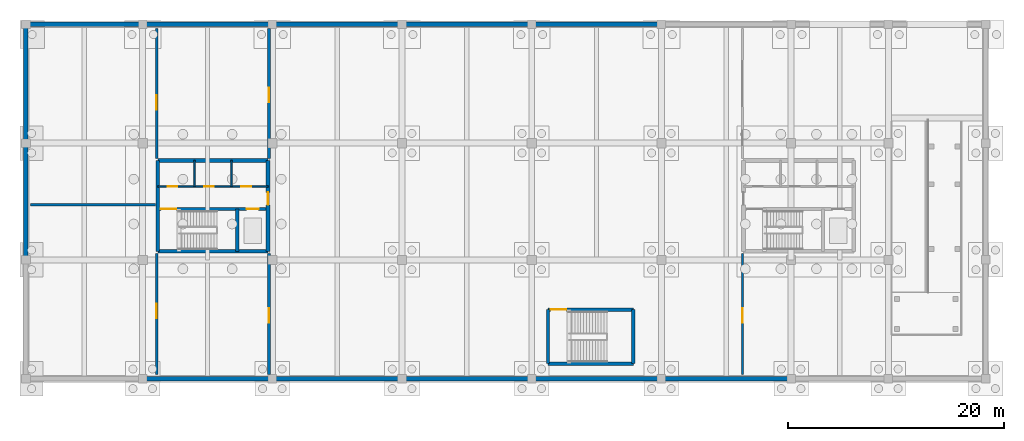
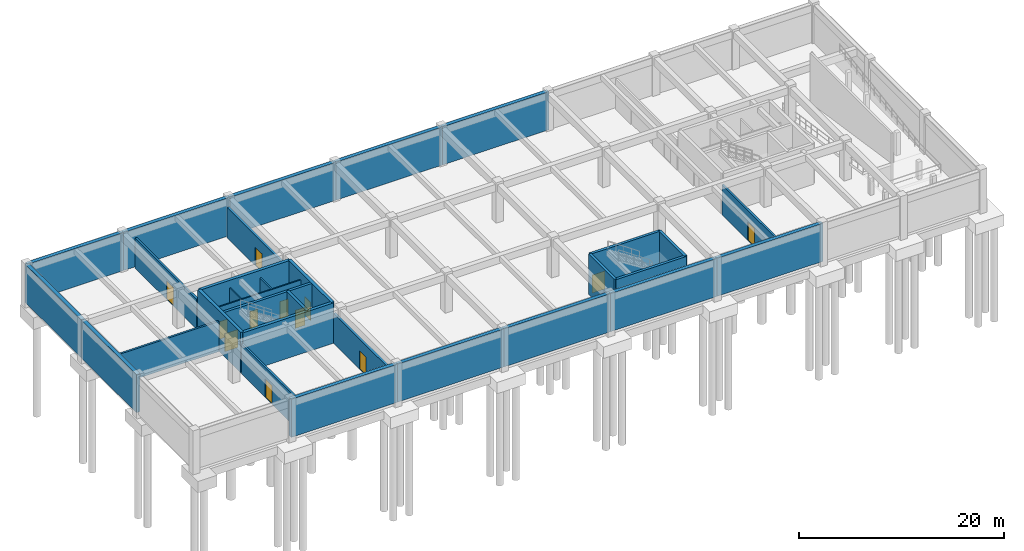
# One storey, part 4 of 8: 31 walls, 12 doors, 12 openings.
"""IFC4 building model written with IfcOpenShell, lengths in metres."""

from ifc_helpers import new_model, si_unit, derived_unit, direction, frame, frame_2d, origin, place, context, subcontext, project, spatial, rectangle, extrude, material, layer, layer_set, type_object, element, fill, save


model = new_model("IFC4")

# Units and contexts
model_context = context("Model", 3, precision=1e-05, world=origin(), true_north=direction((0.0, 1.0)))
body_context = subcontext(model_context, "Body", "Model", "MODEL_VIEW")
ifc_project = project(units=[si_unit("LENGTHUNIT", "METRE"), si_unit("AREAUNIT", "SQUARE_METRE"), si_unit("VOLUMEUNIT", "CUBIC_METRE"), si_unit("PLANEANGLEUNIT", "RADIAN"), si_unit("MASSUNIT", "GRAM", prefix="KILO"), derived_unit("THERMALTRANSMITTANCEUNIT", [(si_unit("POWERUNIT", "WATT"), 1), (si_unit("LENGTHUNIT", "METRE"), -2), (si_unit("THERMODYNAMICTEMPERATUREUNIT", "KELVIN"), -1)])], contexts=[model_context])

# Site, building, storey
site_placement = place(None, origin())
site = spatial("IfcSite", under=ifc_project, at=site_placement, CompositionType="ELEMENT")
building_placement = place(site_placement, origin())
building = spatial("IfcBuilding", under=site, at=building_placement, Name="Almenara Railside Exhibition Hall", CompositionType="ELEMENT")
storey_placement = place(building_placement, frame((0.0, 0.0, -4.800048828125)))
storey = spatial("IfcBuildingStorey", under=building, at=storey_placement, Name="B1", CompositionType="ELEMENT", Elevation=-4.800048828125)

# Walls
ifc_material_1 = material(Name="Concrete C35/45", Category="concrete")
ifc_layer_1 = layer(ifc_material_1, 0.419921875, Name="Concrete C35/45")
ifc_layer_set_1 = layer_set([ifc_layer_1], Name="Concrete C35/45")
wall_type_1 = type_object("IfcWallType", Name="Basement Tanked Retaining Wall 420mm C35/45", PredefinedType="STANDARD", material=ifc_layer_set_1)
wall_1_placement = place(storey_placement, frame((126.0, 32.800048828125, 0.0), z_axis=(0.0, 0.0, 1.0), x_axis=(-1.0, 0.0, 0.0)))
element("IfcWall", 1, at=wall_1_placement, inside=storey, type_object=wall_type_1, Name="Exterior wall 0002", PredefinedType="STANDARD", context=body_context, shape_type="SweptSolid", body=[
    extrude(rectangle(XDim=10.800048828125, YDim=0.419921875, at=frame_2d((5.39990234375, 0.0))), origin(), (0.0, 0.0, 1.0), 4.5400390625),
])
for number, where, z_axis, x_axis, name in (
    (2, (126.0, 0.0, 0.0), (0.0, 0.0, 1.0), (1.0, 0.0, 0.0), "Exterior wall 0003"),
    (3, (138.0, 32.800048828125, 0.0), (0.0, 0.0, 1.0), (-1.0, 0.0, 0.0), "Exterior wall 0004"),
    (4, (138.0, 0.0, 0.0), (0.0, 0.0, 1.0), (1.0, 0.0, 0.0), "Exterior wall 0005"),
    (5, (150.0, 32.800048828125, 0.0), (0.0, 0.0, 1.0), (-1.0, 0.0, 0.0), "Exterior wall 0006"),
    (6, (150.0, 0.0, 0.0), (0.0, 0.0, 1.0), (1.0, 0.0, 0.0), "Exterior wall 0007"),
    (7, (162.0, 32.800048828125, 0.0), (0.0, 0.0, 1.0), (-1.0, 0.0, 0.0), "Exterior wall 0008"),
    (8, (162.0, 0.0, 0.0), (0.0, 0.0, 1.0), (1.0, 0.0, 0.0), "Exterior wall 0009"),
    (9, (174.0, 32.800048828125, 0.0), (0.0, 0.0, 1.0), (-1.0, 0.0, 0.0), "Exterior wall 0010"),
    (10, (174.0, 0.0, 0.0), (0.0, 0.0, 1.0), (1.0, 0.0, 0.0), "Exterior wall 0011"),
):
    element("IfcWall", number, at=place(storey_placement, frame(where, z_axis=z_axis, x_axis=x_axis)), inside=storey, type_object=wall_type_1, Name=name, PredefinedType="STANDARD", context=body_context, shape_type="SweptSolid", body=[
        extrude(rectangle(XDim=12.0, YDim=0.419921875, at=frame_2d((6.0, 0.0))), origin(), (0.0, 0.0, 1.0), 4.5400390625),
    ])
wall_2_placement = place(storey_placement, frame((115.199951171875, 21.800048828125, 0.0), z_axis=(0.0, 0.0, 1.0), x_axis=(0.0, -1.0, 0.0)))
element("IfcWall", 11, at=wall_2_placement, inside=storey, type_object=wall_type_1, Name="Exterior wall 0020", PredefinedType="STANDARD", context=body_context, shape_type="SweptSolid", body=[
    extrude(rectangle(XDim=10.800048828125, YDim=0.419921875, at=frame_2d((5.39990234375, 0.0))), origin(), (0.0, 0.0, 1.0), 4.5400390625),
])
wall_3_placement = place(storey_placement, frame((115.199951171875, 32.800048828125, 0.0), z_axis=(0.0, 0.0, 1.0), x_axis=(0.0, -1.0, 0.0)))
element("IfcWall", 12, at=wall_3_placement, inside=storey, type_object=wall_type_1, Name="Exterior wall 0022", PredefinedType="STANDARD", context=body_context, shape_type="SweptSolid", body=[
    extrude(rectangle(XDim=11.0, YDim=0.419921875, at=frame_2d((5.5, 0.0))), origin(), (0.0, 0.0, 1.0), 4.5400390625),
])
ifc_layer_2 = layer(ifc_material_1, 0.35009765625, Name="Concrete C35/45")
ifc_layer_set_2 = layer_set([ifc_layer_2], Name="Concrete C35/45")
wall_type_2 = type_object("IfcWallType", Name="Core Coupled Shear Wall 350mm C35/45", PredefinedType="SHEAR", material=ifc_layer_set_2)
for number, where, z_axis, x_axis, name in (
    (13, (127.39990234375, 11.800048828125, 0.0), (0.0, 0.0, 1.0), (1.0, 0.0, 0.0), "Interior wall 0100"),
    (14, (137.60009765625, 20.199951171875, 0.0), (0.0, 0.0, 1.0), (-1.0, 0.0, 0.0), "Interior wall 0101"),
):
    element("IfcWall", number, at=place(storey_placement, frame(where, z_axis=z_axis, x_axis=x_axis)), inside=storey, type_object=wall_type_2, Name=name, PredefinedType="SHEAR", context=body_context, shape_type="SweptSolid", body=[
        extrude(rectangle(XDim=10.2001953125, YDim=0.35009765625, at=frame_2d((5.10009765625, 0.0))), origin(), (0.0, 0.0, 1.0), 4.800048828125),
    ])
wall_4_placement = place(storey_placement, frame((127.39990234375, 20.199951171875, 0.0), z_axis=(0.0, 0.0, 1.0), x_axis=(0.0, -1.0, 0.0)))
element("IfcWall", 15, at=wall_4_placement, inside=storey, type_object=wall_type_2, Name="Interior wall 0102", PredefinedType="SHEAR", context=body_context, shape_type="SweptSolid", body=[
    extrude(rectangle(XDim=8.39990234375, YDim=0.35009765625, at=frame_2d((4.199951171875, 0.0))), origin(), (0.0, 0.0, 1.0), 4.800048828125),
])

# Wall, opening, door
wall_5_placement = place(storey_placement, frame((137.60009765625, 11.800048828125, 0.0), z_axis=(0.0, 0.0, 1.0), x_axis=(0.0, 1.0, 0.0)))
wall_5 = element("IfcWall", 16, at=wall_5_placement, inside=storey, type_object=wall_type_2, Name="Interior wall 0103", PredefinedType="SHEAR", context=body_context, shape_type="SweptSolid", body=[
    extrude(rectangle(XDim=8.39990234375, YDim=0.35009765625, at=frame_2d((4.199951171875, 0.0))), origin(), (0.0, 0.0, 1.0), 4.800048828125),
])
opening_1_placement = place(wall_5_placement, frame((4.300048828125, 0.0, 0.0)))
opening_1 = element("IfcOpeningElement", 17, at=opening_1_placement, cuts=wall_5, Name="Opening FD-115", PredefinedType="OPENING", context=body_context, shape_type="SweptSolid", body=[
    extrude(rectangle(XDim=1.14990234375, YDim=2.14990234375, at=frame_2d((0.574951171875, 1.074951171875))), frame((0.0, 0.18505859375, 0.0), z_axis=(0.0, -1.0, 0.0), x_axis=(1.0, 0.0, 0.0)), (0.0, 0.0, 1.0), 0.3701171875),
])
ifc_material_2 = material(Name="Fire-rated iroko timber door", Category="wood")
door_type_1 = type_object("IfcDoorType", Name="Core Lobby Fire Door 1150x2150 EI60", OperationType="NOTDEFINED", PredefinedType="DOOR", material=ifc_material_2)
door_1_placement = place(opening_1_placement, origin())
door_1 = element("IfcDoor", 18, at=door_1_placement, inside=storey, type_object=door_type_1, Name="Interior door FD-115-067", OperationType="SINGLE_SWING_LEFT", OverallHeight=2.14990234375, OverallWidth=1.14990234375, PredefinedType="DOOR", context=body_context, shape_type="SweptSolid", body=[
    extrude(rectangle(XDim=1.14990234375, YDim=2.14990234375, at=frame_2d((0.574951171875, 1.074951171875))), frame((0.0, 0.02490234375, 0.0), z_axis=(0.0, -1.0, 0.0), x_axis=(1.0, 0.0, 0.0)), (0.0, 0.0, 1.0), 0.050048828125),
])
fill(opening_1, door_1)

ifc_layer_3 = layer(ifc_material_1, 0.260009765625, Name="Concrete C35/45")
ifc_layer_set_3 = layer_set([ifc_layer_3], Name="Concrete C35/45")
wall_type_3 = type_object("IfcWallType", Name="Hall Fire Division Wall 260mm C35/45", PredefinedType="SOLIDWALL", material=ifc_layer_set_3)
wall_6_placement = place(storey_placement, frame((137.699951171875, 0.39990234375, 0.0), z_axis=(0.0, 0.0, 1.0), x_axis=(0.0, 1.0, 0.0)))
wall_6 = element("IfcWall", 19, at=wall_6_placement, inside=storey, type_object=wall_type_3, Name="Interior wall 0355", PredefinedType="SOLIDWALL", context=body_context, shape_type="SweptSolid", body=[
    extrude(rectangle(XDim=11.2001953125, YDim=0.260009765625, at=frame_2d((5.60009765625, 0.0))), origin(), (0.0, 0.0, 1.0), 3.60009765625),
])
opening_2_placement = place(wall_6_placement, frame((4.800048828125, 0.0, 0.0)))
opening_2 = element("IfcOpeningElement", 20, at=opening_2_placement, cuts=wall_6, Name="Opening FD-135", PredefinedType="OPENING", context=body_context, shape_type="SweptSolid", body=[
    extrude(rectangle(XDim=1.35009765625, YDim=2.199951171875, at=frame_2d((0.675048828125, 1.10009765625))), frame((0.0, 0.139892578125, 0.0), z_axis=(0.0, -1.0, 0.0), x_axis=(1.0, 0.0, 0.0)), (0.0, 0.0, 1.0), 0.280029296875),
])
ifc_material_3 = material(Name="Fire-rated heavy steel door", Category="steel")
door_type_2 = type_object("IfcDoorType", Name="Plant and Store Fire Door 1350x2200 FD120", OperationType="NOTDEFINED", PredefinedType="DOOR", material=ifc_material_3)
door_2_placement = place(opening_2_placement, origin())
door_2 = element("IfcDoor", 21, at=door_2_placement, inside=storey, type_object=door_type_2, Name="Interior door FD-135-205", OperationType="SINGLE_SWING_RIGHT", OverallHeight=2.199951171875, OverallWidth=1.35009765625, PredefinedType="DOOR", context=body_context, shape_type="SweptSolid", body=[
    extrude(rectangle(XDim=1.35009765625, YDim=2.199951171875, at=frame_2d((0.675048828125, 1.10009765625))), frame((0.0, 0.02490234375, 0.0), z_axis=(0.0, -1.0, 0.0), x_axis=(1.0, 0.0, 0.0)), (0.0, 0.0, 1.0), 0.050048828125),
])
fill(opening_2, door_2)

wall_7_placement = place(storey_placement, frame((137.699951171875, 20.39990234375, 0.0), z_axis=(0.0, 0.0, 1.0), x_axis=(0.0, 1.0, 0.0)))
wall_7 = element("IfcWall", 22, at=wall_7_placement, inside=storey, type_object=wall_type_3, Name="Interior wall 0356", PredefinedType="SOLIDWALL", context=body_context, shape_type="SweptSolid", body=[
    extrude(rectangle(XDim=12.0, YDim=0.260009765625, at=frame_2d((6.0, 0.0))), origin(), (0.0, 0.0, 1.0), 3.60009765625),
])
opening_3_placement = place(wall_7_placement, frame((5.199951171875, 0.0, 0.0)))
opening_3 = element("IfcOpeningElement", 23, at=opening_3_placement, cuts=wall_7, Name="Opening FD-135", PredefinedType="OPENING", context=body_context, shape_type="SweptSolid", body=[
    extrude(rectangle(XDim=1.35009765625, YDim=2.199951171875, at=frame_2d((0.675048828125, 1.10009765625))), frame((0.0, 0.139892578125, 0.0), z_axis=(0.0, -1.0, 0.0), x_axis=(1.0, 0.0, 0.0)), (0.0, 0.0, 1.0), 0.280029296875),
])
door_3_placement = place(opening_3_placement, origin())
door_3 = element("IfcDoor", 24, at=door_3_placement, inside=storey, type_object=door_type_2, Name="Interior door FD-135-206", OperationType="SINGLE_SWING_LEFT", OverallHeight=2.199951171875, OverallWidth=1.35009765625, PredefinedType="DOOR", context=body_context, shape_type="SweptSolid", body=[
    extrude(rectangle(XDim=1.35009765625, YDim=2.199951171875, at=frame_2d((0.675048828125, 1.10009765625))), frame((0.0, 0.02490234375, 0.0), z_axis=(0.0, -1.0, 0.0), x_axis=(1.0, 0.0, 0.0)), (0.0, 0.0, 1.0), 0.050048828125),
])
fill(opening_3, door_3)

ifc_material_4 = material(Name="Insulated masonry over Concrete C35/45", Category="masonry")
ifc_layer_4 = layer(ifc_material_4, 0.219970703125, Name="Insulated masonry over Concrete C35/45")
ifc_layer_set_4 = layer_set([ifc_layer_4], Name="Insulated masonry over Concrete C35/45")
wall_type_4 = type_object("IfcWallType", Name="Occupancy Separating Fire Wall 220mm", PredefinedType="SOLIDWALL", material=ifc_layer_set_4)
wall_8_placement = place(storey_placement, frame((127.300048828125, 0.39990234375, 0.0), z_axis=(0.0, 0.0, 1.0), x_axis=(0.0, 1.0, 0.0)))
wall_8 = element("IfcWall", 25, at=wall_8_placement, inside=storey, type_object=wall_type_4, Name="Interior wall 0352", PredefinedType="SOLIDWALL", context=body_context, shape_type="SweptSolid", body=[
    extrude(rectangle(XDim=11.2001953125, YDim=0.219970703125, at=frame_2d((5.60009765625, 0.0))), origin(), (0.0, 0.0, 1.0), 3.60009765625),
])
opening_4_placement = place(wall_8_placement, frame((5.199951171875, 0.0, 0.0)))
opening_4 = element("IfcOpeningElement", 26, at=opening_4_placement, cuts=wall_8, Name="Opening FD-135", PredefinedType="OPENING", context=body_context, shape_type="SweptSolid", body=[
    extrude(rectangle(XDim=1.35009765625, YDim=2.199951171875, at=frame_2d((0.675048828125, 1.10009765625))), frame((0.0, 0.119873046875, 0.0), z_axis=(0.0, -1.0, 0.0), x_axis=(1.0, 0.0, 0.0)), (0.0, 0.0, 1.0), 0.239990234375),
])
door_4_placement = place(opening_4_placement, origin())
door_4 = element("IfcDoor", 27, at=door_4_placement, inside=storey, type_object=door_type_2, Name="Interior door FD-135-203", OperationType="SINGLE_SWING_RIGHT", OverallHeight=2.199951171875, OverallWidth=1.35009765625, PredefinedType="DOOR", context=body_context, shape_type="SweptSolid", body=[
    extrude(rectangle(XDim=1.35009765625, YDim=2.199951171875, at=frame_2d((0.675048828125, 1.10009765625))), frame((0.0, 0.02490234375, 0.0), z_axis=(0.0, -1.0, 0.0), x_axis=(1.0, 0.0, 0.0)), (0.0, 0.0, 1.0), 0.050048828125),
])
fill(opening_4, door_4)

wall_9_placement = place(storey_placement, frame((127.300048828125, 20.39990234375, 0.0), z_axis=(0.0, 0.0, 1.0), x_axis=(0.0, 1.0, 0.0)))
wall_9 = element("IfcWall", 28, at=wall_9_placement, inside=storey, type_object=wall_type_4, Name="Interior wall 0353", PredefinedType="SOLIDWALL", context=body_context, shape_type="SweptSolid", body=[
    extrude(rectangle(XDim=12.0, YDim=0.219970703125, at=frame_2d((6.0, 0.0))), origin(), (0.0, 0.0, 1.0), 3.60009765625),
])
opening_5_placement = place(wall_9_placement, frame((4.5, 0.0, 0.0)))
opening_5 = element("IfcOpeningElement", 29, at=opening_5_placement, cuts=wall_9, Name="Opening FD-135", PredefinedType="OPENING", context=body_context, shape_type="SweptSolid", body=[
    extrude(rectangle(XDim=1.35009765625, YDim=2.199951171875, at=frame_2d((0.675048828125, 1.10009765625))), frame((0.0, 0.119873046875, 0.0), z_axis=(0.0, -1.0, 0.0), x_axis=(1.0, 0.0, 0.0)), (0.0, 0.0, 1.0), 0.239990234375),
])
door_5_placement = place(opening_5_placement, origin())
door_5 = element("IfcDoor", 30, at=door_5_placement, inside=storey, type_object=door_type_2, Name="Interior door FD-135-204", OperationType="SINGLE_SWING_LEFT", OverallHeight=2.199951171875, OverallWidth=1.35009765625, PredefinedType="DOOR", context=body_context, shape_type="SweptSolid", body=[
    extrude(rectangle(XDim=1.35009765625, YDim=2.199951171875, at=frame_2d((0.675048828125, 1.10009765625))), frame((0.0, 0.02490234375, 0.0), z_axis=(0.0, -1.0, 0.0), x_axis=(1.0, 0.0, 0.0)), (0.0, 0.0, 1.0), 0.050048828125),
])
fill(opening_5, door_5)

# Wall
wall_10_placement = place(storey_placement, frame((115.60009765625, 16.10009765625, 0.0), z_axis=(0.0, 0.0, 1.0), x_axis=(1.0, 0.0, 0.0)))
element("IfcWall", 31, at=wall_10_placement, inside=storey, type_object=wall_type_4, Name="Interior wall 0354", PredefinedType="SOLIDWALL", context=body_context, shape_type="SweptSolid", body=[
    extrude(rectangle(XDim=11.599853515625, YDim=0.219970703125, at=frame_2d((5.7998046875, 0.0))), origin(), (0.0, 0.0, 1.0), 3.60009765625),
])

# Wall, opening, door
wall_11_placement = place(storey_placement, frame((181.5, 0.39990234375, 0.0), z_axis=(0.0, 0.0, 1.0), x_axis=(0.0, 1.0, 0.0)))
wall_11 = element("IfcWall", 32, at=wall_11_placement, inside=storey, type_object=wall_type_4, Name="Interior wall 0357", PredefinedType="SOLIDWALL", context=body_context, shape_type="SweptSolid", body=[
    extrude(rectangle(XDim=11.2001953125, YDim=0.219970703125, at=frame_2d((5.60009765625, 0.0))), origin(), (0.0, 0.0, 1.0), 3.60009765625),
])
opening_6_placement = place(wall_11_placement, frame((4.800048828125, 0.0, 0.0)))
opening_6 = element("IfcOpeningElement", 33, at=opening_6_placement, cuts=wall_11, Name="Opening FD-135", PredefinedType="OPENING", context=body_context, shape_type="SweptSolid", body=[
    extrude(rectangle(XDim=1.35009765625, YDim=2.199951171875, at=frame_2d((0.675048828125, 1.10009765625))), frame((0.0, 0.119873046875, 0.0), z_axis=(0.0, -1.0, 0.0), x_axis=(1.0, 0.0, 0.0)), (0.0, 0.0, 1.0), 0.239990234375),
])
door_6_placement = place(opening_6_placement, origin())
door_6 = element("IfcDoor", 34, at=door_6_placement, inside=storey, type_object=door_type_2, Name="Interior door FD-135-207", OperationType="SINGLE_SWING_RIGHT", OverallHeight=2.199951171875, OverallWidth=1.35009765625, PredefinedType="DOOR", context=body_context, shape_type="SweptSolid", body=[
    extrude(rectangle(XDim=1.35009765625, YDim=2.199951171875, at=frame_2d((0.675048828125, 1.10009765625))), frame((0.0, 0.02490234375, 0.0), z_axis=(0.0, -1.0, 0.0), x_axis=(1.0, 0.0, 0.0)), (0.0, 0.0, 1.0), 0.050048828125),
])
fill(opening_6, door_6)

# Wall, openings, doors
ifc_material_5 = material(Name="Moisture-resistant tiled masonry partition", Category="masonry")
ifc_layer_5 = layer(ifc_material_5, 0.139892578125, Name="Moisture-resistant tiled masonry partition")
ifc_layer_set_5 = layer_set([ifc_layer_5], Name="Moisture-resistant tiled masonry partition")
wall_type_5 = type_object("IfcWallType", Name="Sanitary Wet-Wall Partition 140mm", PredefinedType="PARTITIONING", material=ifc_layer_set_5)
wall_12_placement = place(storey_placement, frame((127.39990234375, 17.800048828125, 0.0), z_axis=(0.0, 0.0, 1.0), x_axis=(1.0, 0.0, 0.0)))
wall_12 = element("IfcWall", 35, at=wall_12_placement, inside=storey, type_object=wall_type_5, Name="Interior wall 0106", PredefinedType="PARTITIONING", context=body_context, shape_type="SweptSolid", body=[
    extrude(rectangle(XDim=10.2001953125, YDim=0.139892578125, at=frame_2d((5.10009765625, 0.0))), origin(), (0.0, 0.0, 1.0), 3.900146484375),
])
opening_7_placement = place(wall_12_placement, frame((0.89990234375, 0.0, 0.0)))
opening_7 = element("IfcOpeningElement", 36, at=opening_7_placement, cuts=wall_12, Name="Opening ID-09", PredefinedType="OPENING", context=body_context, shape_type="SweptSolid", body=[
    extrude(rectangle(XDim=0.89990234375, YDim=2.10009765625, at=frame_2d((0.449951171875, 1.050048828125))), frame((0.0, 0.079833984375, 0.0), z_axis=(0.0, -1.0, 0.0), x_axis=(1.0, 0.0, 0.0)), (0.0, 0.0, 1.0), 0.159912109375),
])
opening_8_placement = place(wall_12_placement, frame((4.300048828125, 0.0, 0.0)))
opening_8 = element("IfcOpeningElement", 37, at=opening_8_placement, cuts=wall_12, Name="Opening ID-09", PredefinedType="OPENING", context=body_context, shape_type="SweptSolid", body=[
    extrude(rectangle(XDim=0.89990234375, YDim=2.10009765625, at=frame_2d((0.449951171875, 1.050048828125))), frame((0.0, 0.079833984375, 0.0), z_axis=(0.0, -1.0, 0.0), x_axis=(1.0, 0.0, 0.0)), (0.0, 0.0, 1.0), 0.159912109375),
])
opening_9_placement = place(wall_12_placement, frame((7.699951171875, 0.0, 0.0)))
opening_9 = element("IfcOpeningElement", 38, at=opening_9_placement, cuts=wall_12, Name="Opening ID-095", PredefinedType="OPENING", context=body_context, shape_type="SweptSolid", body=[
    extrude(rectangle(XDim=0.949951171875, YDim=2.10009765625, at=frame_2d((0.47509765625, 1.050048828125))), frame((0.0, 0.079833984375, 0.0), z_axis=(0.0, -1.0, 0.0), x_axis=(1.0, 0.0, 0.0)), (0.0, 0.0, 1.0), 0.159912109375),
])
ifc_material_6 = material(Name="Moisture-resistant hardwood door", Category="wood")
door_type_3 = type_object("IfcDoorType", Name="Accessible Toilet Door 950x2100", OperationType="NOTDEFINED", PredefinedType="DOOR", material=ifc_material_6)
door_7_placement = place(opening_9_placement, origin())
door_7 = element("IfcDoor", 39, at=door_7_placement, inside=storey, type_object=door_type_3, Name="Interior door ID-095-072", OperationType="SINGLE_SWING_RIGHT", OverallHeight=2.10009765625, OverallWidth=0.949951171875, PredefinedType="DOOR", context=body_context, shape_type="SweptSolid", body=[
    extrude(rectangle(XDim=0.949951171875, YDim=2.10009765625, at=frame_2d((0.47509765625, 1.050048828125))), frame((0.0, 0.02490234375, 0.0), z_axis=(0.0, -1.0, 0.0), x_axis=(1.0, 0.0, 0.0)), (0.0, 0.0, 1.0), 0.050048828125),
])
fill(opening_9, door_7)
door_type_4 = type_object("IfcDoorType", Name="Sanitary Lobby Single Door 900x2100", OperationType="NOTDEFINED", PredefinedType="DOOR", material=ifc_material_6)
door_8_placement = place(opening_7_placement, origin())
door_8 = element("IfcDoor", 40, at=door_8_placement, inside=storey, type_object=door_type_4, Name="Interior door ID-09-070", OperationType="SINGLE_SWING_RIGHT", OverallHeight=2.10009765625, OverallWidth=0.89990234375, PredefinedType="DOOR", context=body_context, shape_type="SweptSolid", body=[
    extrude(rectangle(XDim=0.89990234375, YDim=2.10009765625, at=frame_2d((0.449951171875, 1.050048828125))), frame((0.0, 0.02490234375, 0.0), z_axis=(0.0, -1.0, 0.0), x_axis=(1.0, 0.0, 0.0)), (0.0, 0.0, 1.0), 0.050048828125),
])
fill(opening_7, door_8)
door_9_placement = place(opening_8_placement, origin())
door_9 = element("IfcDoor", 41, at=door_9_placement, inside=storey, type_object=door_type_4, Name="Interior door ID-09-071", OperationType="SINGLE_SWING_LEFT", OverallHeight=2.10009765625, OverallWidth=0.89990234375, PredefinedType="DOOR", context=body_context, shape_type="SweptSolid", body=[
    extrude(rectangle(XDim=0.89990234375, YDim=2.10009765625, at=frame_2d((0.449951171875, 1.050048828125))), frame((0.0, 0.02490234375, 0.0), z_axis=(0.0, -1.0, 0.0), x_axis=(1.0, 0.0, 0.0)), (0.0, 0.0, 1.0), 0.050048828125),
])
fill(opening_8, door_9)

# Walls
for number, where, z_axis, x_axis, name in (
    (42, (130.800048828125, 17.800048828125, 0.0), (0.0, 0.0, 1.0), (0.0, 1.0, 0.0), "Interior wall 0107"),
    (43, (134.199951171875, 17.800048828125, 0.0), (0.0, 0.0, 1.0), (0.0, 1.0, 0.0), "Interior wall 0108"),
):
    element("IfcWall", number, at=place(storey_placement, frame(where, z_axis=z_axis, x_axis=x_axis)), inside=storey, type_object=wall_type_5, Name=name, PredefinedType="PARTITIONING", context=body_context, shape_type="SweptSolid", body=[
        extrude(rectangle(XDim=2.39990234375, YDim=0.139892578125, at=frame_2d((1.199951171875, 0.0))), origin(), (0.0, 0.0, 1.0), 3.900146484375),
    ])

# Wall, openings, doors
ifc_layer_6 = layer(ifc_material_1, 0.300048828125, Name="Concrete C35/45")
ifc_layer_set_6 = layer_set([ifc_layer_6], Name="Concrete C35/45")
wall_type_6 = type_object("IfcWallType", Name="Stair and Lift Shaft Wall 300mm C35/45", PredefinedType="SHEAR", material=ifc_layer_set_6)
wall_13_placement = place(storey_placement, frame((127.39990234375, 15.699951171875, 0.0), z_axis=(0.0, 0.0, 1.0), x_axis=(1.0, 0.0, 0.0)))
wall_13 = element("IfcWall", 44, at=wall_13_placement, inside=storey, type_object=wall_type_6, Name="Interior wall 0104", PredefinedType="SHEAR", context=body_context, shape_type="SweptSolid", body=[
    extrude(rectangle(XDim=10.2001953125, YDim=0.300048828125, at=frame_2d((5.10009765625, 0.0))), origin(), (0.0, 0.0, 1.0), 4.800048828125),
])
opening_10_placement = place(wall_13_placement, frame((0.280029296875, 0.0, 0.0)))
opening_10 = element("IfcOpeningElement", 45, at=opening_10_placement, cuts=wall_13, Name="Opening FD-145", PredefinedType="OPENING", context=body_context, shape_type="SweptSolid", body=[
    extrude(rectangle(XDim=1.449951171875, YDim=2.14990234375, at=frame_2d((0.72509765625, 1.074951171875))), frame((0.0, 0.159912109375, 0.0), z_axis=(0.0, -1.0, 0.0), x_axis=(1.0, 0.0, 0.0)), (0.0, 0.0, 1.0), 0.320068359375),
])
opening_11_placement = place(wall_13_placement, frame((8.22509765625, 0.0, 0.0)))
opening_11 = element("IfcOpeningElement", 46, at=opening_11_placement, cuts=wall_13, Name="Opening LD-11-C5", PredefinedType="OPENING", context=body_context, shape_type="SweptSolid", body=[
    extrude(rectangle(XDim=1.10009765625, YDim=2.14990234375, at=frame_2d((0.550048828125, 1.074951171875))), frame((0.0, 0.159912109375, 0.0), z_axis=(0.0, -1.0, 0.0), x_axis=(1.0, 0.0, 0.0)), (0.0, 0.0, 1.0), 0.320068359375),
])
ifc_material_7 = material(Name="Steel-framed fire-rated timber door", Category="steel")
door_type_5 = type_object("IfcDoorType", Name="Fire Escape Stair Door 1450x2150 EI60", OperationType="NOTDEFINED", PredefinedType="DOOR", material=ifc_material_7)
door_10_placement = place(opening_10_placement, origin())
door_10 = element("IfcDoor", 47, at=door_10_placement, inside=storey, type_object=door_type_5, Name="Interior door FD-145-068", OperationType="DOUBLE_DOOR_SINGLE_SWING", OverallHeight=2.14990234375, OverallWidth=1.449951171875, PredefinedType="DOOR", context=body_context, shape_type="SweptSolid", body=[
    extrude(rectangle(XDim=1.449951171875, YDim=2.14990234375, at=frame_2d((0.72509765625, 1.074951171875))), frame((0.0, 0.02490234375, 0.0), z_axis=(0.0, -1.0, 0.0), x_axis=(1.0, 0.0, 0.0)), (0.0, 0.0, 1.0), 0.050048828125),
])
fill(opening_10, door_10)
ifc_material_8 = material(Name="Brushed bronze-stainless steel sliding landing door", Category="steel")
door_type_6 = type_object("IfcDoorType", Name="Passenger Lift Sliding Landing Door 1100x2150", OperationType="DOUBLE_DOOR_SLIDING", PredefinedType="DOOR", material=ifc_material_8)
door_11_placement = place(opening_11_placement, origin())
door_11 = element("IfcDoor", 48, at=door_11_placement, inside=storey, type_object=door_type_6, Name="Interior door LD-11-C5-069", OperationType="DOUBLE_DOOR_SLIDING", OverallHeight=2.14990234375, OverallWidth=1.10009765625, PredefinedType="DOOR", context=body_context, shape_type="SweptSolid", body=[
    extrude(rectangle(XDim=1.10009765625, YDim=2.14990234375, at=frame_2d((0.550048828125, 1.074951171875))), frame((0.0, 0.02490234375, 0.0), z_axis=(0.0, -1.0, 0.0), x_axis=(1.0, 0.0, 0.0)), (0.0, 0.0, 1.0), 0.050048828125),
])
fill(opening_11, door_11)

# Walls
wall_14_placement = place(storey_placement, frame((134.75, 11.800048828125, 0.0), z_axis=(0.0, 0.0, 1.0), x_axis=(0.0, 1.0, 0.0)))
element("IfcWall", 49, at=wall_14_placement, inside=storey, type_object=wall_type_6, Name="Interior wall 0105", PredefinedType="SHEAR", context=body_context, shape_type="SweptSolid", body=[
    extrude(rectangle(XDim=3.89990234375, YDim=0.300048828125, at=frame_2d((1.949951171875, 0.0))), origin(), (0.0, 0.0, 1.0), 4.800048828125),
])
wall_15_placement = place(storey_placement, frame((163.5, 1.39990234375, 0.0), z_axis=(0.0, 0.0, 1.0), x_axis=(1.0, 0.0, 0.0)))
element("IfcWall", 50, at=wall_15_placement, inside=storey, type_object=wall_type_6, Name="Interior wall 0312", PredefinedType="SHEAR", context=body_context, shape_type="SweptSolid", body=[
    extrude(rectangle(XDim=7.89990234375, YDim=0.300048828125, at=frame_2d((3.949951171875, 0.0))), origin(), (0.0, 0.0, 1.0), 4.800048828125),
])

# Wall, opening, door
wall_16_placement = place(storey_placement, frame((171.39990234375, 6.39990234375, 0.0), z_axis=(0.0, 0.0, 1.0), x_axis=(-1.0, 0.0, 0.0)))
wall_16 = element("IfcWall", 51, at=wall_16_placement, inside=storey, type_object=wall_type_6, Name="Interior wall 0313", PredefinedType="SHEAR", context=body_context, shape_type="SweptSolid", body=[
    extrude(rectangle(XDim=7.89990234375, YDim=0.300048828125, at=frame_2d((3.949951171875, 0.0))), origin(), (0.0, 0.0, 1.0), 4.800048828125),
])
opening_12_placement = place(wall_16_placement, frame((6.199951171875, 0.0, 0.0)))
opening_12 = element("IfcOpeningElement", 52, at=opening_12_placement, cuts=wall_16, Name="Opening FD-145", PredefinedType="OPENING", context=body_context, shape_type="SweptSolid", body=[
    extrude(rectangle(XDim=1.449951171875, YDim=2.14990234375, at=frame_2d((0.72509765625, 1.074951171875))), frame((0.0, 0.159912109375, 0.0), z_axis=(0.0, -1.0, 0.0), x_axis=(1.0, 0.0, 0.0)), (0.0, 0.0, 1.0), 0.320068359375),
])
door_12_placement = place(opening_12_placement, origin())
door_12 = element("IfcDoor", 53, at=door_12_placement, inside=storey, type_object=door_type_5, Name="Interior door FD-145-193", OperationType="DOUBLE_DOOR_SINGLE_SWING", OverallHeight=2.14990234375, OverallWidth=1.449951171875, PredefinedType="DOOR", context=body_context, shape_type="SweptSolid", body=[
    extrude(rectangle(XDim=1.449951171875, YDim=2.14990234375, at=frame_2d((0.72509765625, 1.074951171875))), frame((0.0, 0.02490234375, 0.0), z_axis=(0.0, -1.0, 0.0), x_axis=(1.0, 0.0, 0.0)), (0.0, 0.0, 1.0), 0.050048828125),
])
fill(opening_12, door_12)

# Walls
for number, where, z_axis, x_axis, name in (
    (54, (163.5, 6.39990234375, 0.0), (0.0, 0.0, 1.0), (0.0, -1.0, 0.0), "Interior wall 0314"),
    (55, (171.39990234375, 1.39990234375, 0.0), (0.0, 0.0, 1.0), (0.0, 1.0, 0.0), "Interior wall 0315"),
):
    element("IfcWall", number, at=place(storey_placement, frame(where, z_axis=z_axis, x_axis=x_axis)), inside=storey, type_object=wall_type_6, Name=name, PredefinedType="SHEAR", context=body_context, shape_type="SweptSolid", body=[
        extrude(rectangle(XDim=5.0, YDim=0.300048828125, at=frame_2d((2.5, 0.0))), origin(), (0.0, 0.0, 1.0), 4.800048828125),
    ])

save(model, "model.ifc")
